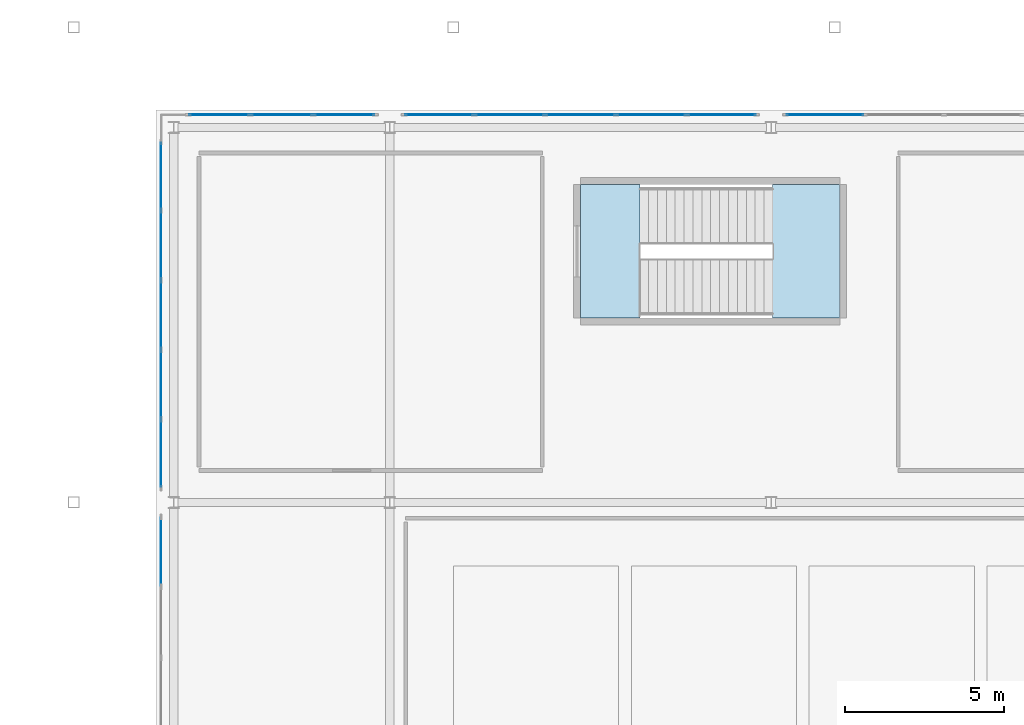
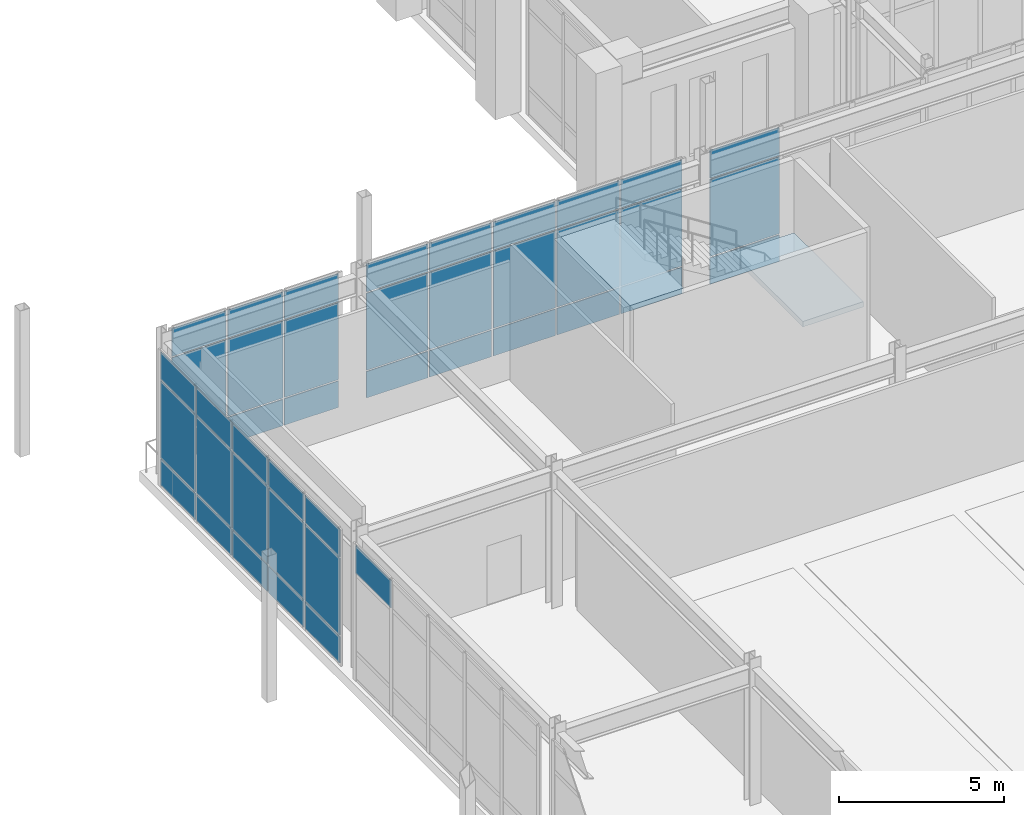
# One storey, part 115 of 159: 43 plates, 2 slabs, 6 elements without a shape of their own.
"""IFC4 building model written with IfcOpenShell, lengths in metres."""

from ifc_helpers import new_model, si_unit, derived_unit, direction, frame, origin, origin_2d, place, context, subcontext, project, spatial, polyline, rectangle, outline, extrude, material, layer, layer_set, type_object, element, aggregate, save


model = new_model("IFC4")

# Units and contexts
model_context = context("Model", 3, precision=1e-05, world=origin(), true_north=direction((0.0, 1.0)))
body_context = subcontext(model_context, "Body", "Model", "MODEL_VIEW")
ifc_project = project(units=[si_unit("LENGTHUNIT", "METRE"), si_unit("AREAUNIT", "SQUARE_METRE"), si_unit("VOLUMEUNIT", "CUBIC_METRE"), si_unit("PLANEANGLEUNIT", "RADIAN"), si_unit("MASSUNIT", "GRAM", prefix="KILO"), derived_unit("THERMALTRANSMITTANCEUNIT", [(si_unit("MASSUNIT", "GRAM", prefix="KILO"), 1), (si_unit("TIMEUNIT", "SECOND"), -3), (si_unit("THERMODYNAMICTEMPERATUREUNIT", "KELVIN"), -1)])], contexts=[model_context])

# Site, building, storey
site_placement = place(None, origin())
site = spatial("IfcSite", under=ifc_project, at=site_placement, CompositionType="ELEMENT")
building_placement = place(site_placement, origin())
building = spatial("IfcBuilding", under=site, at=building_placement, Name="Valcora Ridge Arena", CompositionType="ELEMENT")
storey_placement = place(building_placement, frame((0.0, 0.0, 6.0)))
storey = spatial("IfcBuildingStorey", under=building, at=storey_placement, Name="L01", CompositionType="ELEMENT", Elevation=6.0)

# Stair, slabs
ifc_material_1 = material(Name="Concrete C40/50", Category="concrete")
stair_type = type_object("IfcStairType", Name="TY-STAIR-ES12-54", PredefinedType="HALF_TURN_STAIR", material=ifc_material_1)
stair_placement = place(storey_placement, origin())
stair = element("IfcStair", 1, at=stair_placement, inside=storey, type_object=stair_type, Name="ES12-54 STR-ES-0038", PredefinedType="HALF_TURN_STAIR")
ifc_layer_1 = layer(ifc_material_1, 0.199951171875, Name="Concrete C40/50")
ifc_layer_set_1 = layer_set([ifc_layer_1], Name="Concrete C40/50")
slab_type = type_object("IfcSlabType", Name="TY-LAND-ES12-54", PredefinedType="LANDING", material=ifc_layer_set_1)
slab_1_placement = place(storey_placement, frame((0.0, 0.0, 2.5)))
slab_1 = element("IfcSlab", 2, at=slab_1_placement, type_object=slab_type, Name="ES12-54 landing 1", PredefinedType="LANDING", context=body_context, shape_type="SweptSolid", body=[
    extrude(outline(polyline([(156.0400390625, 71.802001953125), (158.157958984375, 71.802001953125), (158.157958984375, 75.998046875), (156.0400390625, 75.998046875), (156.0400390625, 71.802001953125)])), origin(), (0.0, 0.0, 1.0), 0.199951171875),
])
slab_2_placement = place(storey_placement, frame((0.0, 0.0, 5.199951171875)))
slab_2 = element("IfcSlab", 3, at=slab_2_placement, type_object=slab_type, Name="ES12-54 landing 2", PredefinedType="LANDING", context=body_context, shape_type="SweptSolid", body=[
    extrude(outline(polyline([(150.001953125, 71.802001953125), (151.8798828125, 71.802001953125), (151.8798828125, 75.998046875), (150.001953125, 75.998046875), (150.001953125, 71.802001953125)])), origin(), (0.0, 0.0, 1.0), 0.199951171875),
])
aggregate(stair, [slab_1, slab_2])

# Curtain wall, plates
ifc_material_2 = material(Name="Anodised dark bronze architectural aluminium 6063-T6", Category="aluminium")
ifc_layer_2 = layer(ifc_material_2, 0.179931640625, Name="Anodised dark bronze architectural aluminium 6063-T6")
ifc_layer_set_2 = layer_set([ifc_layer_2], Name="Anodised dark bronze architectural aluminium 6063-T6")
curtain_wall_type_1 = type_object("IfcCurtainWallType", Name="TY-CURTAINWALL-CW-V2-GLAZ-059X50", PredefinedType="NOTDEFINED", material=ifc_layer_set_2)
curtain_wall_1_placement = place(storey_placement, origin())
curtain_wall_1 = element("IfcCurtainWall", 4, at=curtain_wall_1_placement, inside=storey, type_object=curtain_wall_type_1, Name="CW-V2-GLAZ-059X50 CW-0057", PredefinedType="NOTDEFINED")
ifc_material_3 = material(Name="Low-iron solar-control double glazing SHGC 0.28", Category="glass")
ifc_layer_3 = layer(ifc_material_3, 0.028076171875, Name="Low-iron solar-control double glazing SHGC 0.28")
ifc_layer_set_3 = layer_set([ifc_layer_3], Name="Low-iron solar-control double glazing SHGC 0.28")
plate_type_1 = type_object("IfcPlateType", Name="TY-PLT-CWP-1892X0975", PredefinedType="CURTAIN_PANEL", material=ifc_layer_set_3)
plate_1_placement = place(storey_placement, frame((138.633056640625, 78.199951171875, 0.050048828125), z_axis=(0.0, 0.0, 1.0), x_axis=(1.0, 0.0, 0.0)))
plate_1 = element("IfcPlate", 5, at=plate_1_placement, type_object=plate_type_1, Name="CW-0057/P00-00", PredefinedType="CURTAIN_PANEL", context=body_context, shape_type="SweptSolid", body=[
    extrude(rectangle(XDim=1.89208984375, YDim=0.028076171875, at=origin_2d()), origin(), (0.0, 0.0, 1.0), 0.97509765625),
])
plate_2_placement = place(storey_placement, frame((142.56689453125, 78.199951171875, 0.050048828125), z_axis=(0.0, 0.0, 1.0), x_axis=(1.0, 0.0, 0.0)))
plate_2 = element("IfcPlate", 6, at=plate_2_placement, type_object=plate_type_1, Name="CW-0057/P02-00", PredefinedType="CURTAIN_PANEL", context=body_context, shape_type="SweptSolid", body=[
    extrude(rectangle(XDim=1.89208984375, YDim=0.028076171875, at=origin_2d()), origin(), (0.0, 0.0, 1.0), 0.97509765625),
])
ifc_layer_4 = layer(ifc_material_3, 0.028076171875, Name="Low-iron solar-control double glazing SHGC 0.28")
ifc_layer_set_4 = layer_set([ifc_layer_4], Name="Low-iron solar-control double glazing SHGC 0.28")
plate_type_2 = type_object("IfcPlateType", Name="TY-PLT-CWP-1892X1025", PredefinedType="CURTAIN_PANEL", material=ifc_layer_set_4)
plate_3_placement = place(storey_placement, frame((138.633056640625, 78.199951171875, 3.965087890625), z_axis=(0.0, 0.0, 1.0), x_axis=(1.0, 0.0, 0.0)))
plate_3 = element("IfcPlate", 7, at=plate_3_placement, type_object=plate_type_2, Name="CW-0057/P00-02", PredefinedType="CURTAIN_PANEL", context=body_context, shape_type="SweptSolid", body=[
    extrude(rectangle(XDim=1.89208984375, YDim=0.028076171875, at=origin_2d()), origin(), (0.0, 0.0, 1.0), 1.02490234375),
])
plate_4_placement = place(storey_placement, frame((142.56689453125, 78.199951171875, 3.965087890625), z_axis=(0.0, 0.0, 1.0), x_axis=(1.0, 0.0, 0.0)))
plate_4 = element("IfcPlate", 8, at=plate_4_placement, type_object=plate_type_2, Name="CW-0057/P02-02", PredefinedType="CURTAIN_PANEL", context=body_context, shape_type="SweptSolid", body=[
    extrude(rectangle(XDim=1.89208984375, YDim=0.028076171875, at=origin_2d()), origin(), (0.0, 0.0, 1.0), 1.02490234375),
])
ifc_layer_5 = layer(ifc_material_3, 0.028076171875, Name="Low-iron solar-control double glazing SHGC 0.28")
ifc_layer_set_5 = layer_set([ifc_layer_5], Name="Low-iron solar-control double glazing SHGC 0.28")
plate_type_3 = type_object("IfcPlateType", Name="TY-PLT-CWP-1892X2840", PredefinedType="CURTAIN_PANEL", material=ifc_layer_set_5)
plate_5_placement = place(storey_placement, frame((138.633056640625, 78.199951171875, 1.0751953125), z_axis=(0.0, 0.0, 1.0), x_axis=(1.0, 0.0, 0.0)))
plate_5 = element("IfcPlate", 9, at=plate_5_placement, type_object=plate_type_3, Name="CW-0057/P00-01", PredefinedType="CURTAIN_PANEL", context=body_context, shape_type="SweptSolid", body=[
    extrude(rectangle(XDim=1.89208984375, YDim=0.028076171875, at=origin_2d()), origin(), (0.0, 0.0, 1.0), 2.840087890625),
])
plate_6_placement = place(storey_placement, frame((142.56689453125, 78.199951171875, 1.0751953125), z_axis=(0.0, 0.0, 1.0), x_axis=(1.0, 0.0, 0.0)))
plate_6 = element("IfcPlate", 10, at=plate_6_placement, type_object=plate_type_3, Name="CW-0057/P02-01", PredefinedType="CURTAIN_PANEL", context=body_context, shape_type="SweptSolid", body=[
    extrude(rectangle(XDim=1.89208984375, YDim=0.028076171875, at=origin_2d()), origin(), (0.0, 0.0, 1.0), 2.840087890625),
])
ifc_layer_6 = layer(ifc_material_3, 0.028076171875, Name="Low-iron solar-control double glazing SHGC 0.28")
ifc_layer_set_6 = layer_set([ifc_layer_6], Name="Low-iron solar-control double glazing SHGC 0.28")
plate_type_4 = type_object("IfcPlateType", Name="TY-PLT-CWP-1922X0975", PredefinedType="CURTAIN_PANEL", material=ifc_layer_set_6)
plate_7_placement = place(storey_placement, frame((140.60009765625, 78.199951171875, 0.050048828125), z_axis=(0.0, 0.0, 1.0), x_axis=(1.0, 0.0, 0.0)))
plate_7 = element("IfcPlate", 11, at=plate_7_placement, type_object=plate_type_4, Name="CW-0057/P01-00", PredefinedType="CURTAIN_PANEL", context=body_context, shape_type="SweptSolid", body=[
    extrude(rectangle(XDim=1.922119140625, YDim=0.028076171875, at=origin_2d()), origin(), (0.0, 0.0, 1.0), 0.97509765625),
])
ifc_layer_7 = layer(ifc_material_3, 0.028076171875, Name="Low-iron solar-control double glazing SHGC 0.28")
ifc_layer_set_7 = layer_set([ifc_layer_7], Name="Low-iron solar-control double glazing SHGC 0.28")
plate_type_5 = type_object("IfcPlateType", Name="TY-PLT-CWP-1922X1025", PredefinedType="CURTAIN_PANEL", material=ifc_layer_set_7)
plate_8_placement = place(storey_placement, frame((140.60009765625, 78.199951171875, 3.965087890625), z_axis=(0.0, 0.0, 1.0), x_axis=(1.0, 0.0, 0.0)))
plate_8 = element("IfcPlate", 12, at=plate_8_placement, type_object=plate_type_5, Name="CW-0057/P01-02", PredefinedType="CURTAIN_PANEL", context=body_context, shape_type="SweptSolid", body=[
    extrude(rectangle(XDim=1.922119140625, YDim=0.028076171875, at=origin_2d()), origin(), (0.0, 0.0, 1.0), 1.02490234375),
])
ifc_layer_8 = layer(ifc_material_3, 0.028076171875, Name="Low-iron solar-control double glazing SHGC 0.28")
ifc_layer_set_8 = layer_set([ifc_layer_8], Name="Low-iron solar-control double glazing SHGC 0.28")
plate_type_6 = type_object("IfcPlateType", Name="TY-PLT-CWP-1922X2840", PredefinedType="CURTAIN_PANEL", material=ifc_layer_set_8)
plate_9_placement = place(storey_placement, frame((140.60009765625, 78.199951171875, 1.0751953125), z_axis=(0.0, 0.0, 1.0), x_axis=(1.0, 0.0, 0.0)))
plate_9 = element("IfcPlate", 13, at=plate_9_placement, type_object=plate_type_6, Name="CW-0057/P01-01", PredefinedType="CURTAIN_PANEL", context=body_context, shape_type="SweptSolid", body=[
    extrude(rectangle(XDim=1.922119140625, YDim=0.028076171875, at=origin_2d()), origin(), (0.0, 0.0, 1.0), 2.840087890625),
])
aggregate(curtain_wall_1, [plate_1, plate_5, plate_3, plate_7, plate_9, plate_8, plate_2, plate_6, plate_4])

ifc_layer_9 = layer(ifc_material_2, 0.179931640625, Name="Anodised dark bronze architectural aluminium 6063-T6")
ifc_layer_set_9 = layer_set([ifc_layer_9], Name="Anodised dark bronze architectural aluminium 6063-T6")
curtain_wall_type_2 = type_object("IfcCurtainWallType", Name="TY-CURTAINWALL-CW-V2-GLAZ-109X50", PredefinedType="NOTDEFINED", material=ifc_layer_set_9)
curtain_wall_2_placement = place(storey_placement, origin())
curtain_wall_2 = element("IfcCurtainWall", 14, at=curtain_wall_2_placement, inside=storey, type_object=curtain_wall_type_2, Name="CW-V2-GLAZ-109X50 CW-0043", PredefinedType="NOTDEFINED")
ifc_layer_10 = layer(ifc_material_3, 0.028076171875, Name="Low-iron solar-control double glazing SHGC 0.28")
ifc_layer_set_10 = layer_set([ifc_layer_10], Name="Low-iron solar-control double glazing SHGC 0.28")
plate_type_7 = type_object("IfcPlateType", Name="TY-PLT-CWP-2099X0975", PredefinedType="CURTAIN_PANEL", material=ifc_layer_set_10)
plate_10_placement = place(storey_placement, frame((136.800048828125, 67.535888671875, 0.050048828125), z_axis=(0.0, 0.0, 1.0), x_axis=(0.0, 1.0, 0.0)))
plate_10 = element("IfcPlate", 15, at=plate_10_placement, type_object=plate_type_7, Name="CW-0043/P00-00", PredefinedType="CURTAIN_PANEL", context=body_context, shape_type="SweptSolid", body=[
    extrude(rectangle(XDim=2.09912109375, YDim=0.028076171875, at=origin_2d()), origin(), (0.0, 0.0, 1.0), 0.97509765625),
])
plate_11_placement = place(storey_placement, frame((136.800048828125, 76.263916015625, 0.050048828125), z_axis=(0.0, 0.0, 1.0), x_axis=(0.0, 1.0, 0.0)))
plate_11 = element("IfcPlate", 16, at=plate_11_placement, type_object=plate_type_7, Name="CW-0043/P04-00", PredefinedType="CURTAIN_PANEL", context=body_context, shape_type="SweptSolid", body=[
    extrude(rectangle(XDim=2.09912109375, YDim=0.028076171875, at=origin_2d()), origin(), (0.0, 0.0, 1.0), 0.97509765625),
])
ifc_layer_11 = layer(ifc_material_3, 0.028076171875, Name="Low-iron solar-control double glazing SHGC 0.28")
ifc_layer_set_11 = layer_set([ifc_layer_11], Name="Low-iron solar-control double glazing SHGC 0.28")
plate_type_8 = type_object("IfcPlateType", Name="TY-PLT-CWP-2099X1025", PredefinedType="CURTAIN_PANEL", material=ifc_layer_set_11)
plate_12_placement = place(storey_placement, frame((136.800048828125, 67.535888671875, 3.965087890625), z_axis=(0.0, 0.0, 1.0), x_axis=(0.0, 1.0, 0.0)))
plate_12 = element("IfcPlate", 17, at=plate_12_placement, type_object=plate_type_8, Name="CW-0043/P00-02", PredefinedType="CURTAIN_PANEL", context=body_context, shape_type="SweptSolid", body=[
    extrude(rectangle(XDim=2.09912109375, YDim=0.028076171875, at=origin_2d()), origin(), (0.0, 0.0, 1.0), 1.02490234375),
])
plate_13_placement = place(storey_placement, frame((136.800048828125, 76.263916015625, 3.965087890625), z_axis=(0.0, 0.0, 1.0), x_axis=(0.0, 1.0, 0.0)))
plate_13 = element("IfcPlate", 18, at=plate_13_placement, type_object=plate_type_8, Name="CW-0043/P04-02", PredefinedType="CURTAIN_PANEL", context=body_context, shape_type="SweptSolid", body=[
    extrude(rectangle(XDim=2.09912109375, YDim=0.028076171875, at=origin_2d()), origin(), (0.0, 0.0, 1.0), 1.02490234375),
])
ifc_layer_12 = layer(ifc_material_3, 0.028076171875, Name="Low-iron solar-control double glazing SHGC 0.28")
ifc_layer_set_12 = layer_set([ifc_layer_12], Name="Low-iron solar-control double glazing SHGC 0.28")
plate_type_9 = type_object("IfcPlateType", Name="TY-PLT-CWP-2099X2840", PredefinedType="CURTAIN_PANEL", material=ifc_layer_set_12)
plate_14_placement = place(storey_placement, frame((136.800048828125, 67.535888671875, 1.0751953125), z_axis=(0.0, 0.0, 1.0), x_axis=(0.0, 1.0, 0.0)))
plate_14 = element("IfcPlate", 19, at=plate_14_placement, type_object=plate_type_9, Name="CW-0043/P00-01", PredefinedType="CURTAIN_PANEL", context=body_context, shape_type="SweptSolid", body=[
    extrude(rectangle(XDim=2.09912109375, YDim=0.028076171875, at=origin_2d()), origin(), (0.0, 0.0, 1.0), 2.840087890625),
])
plate_15_placement = place(storey_placement, frame((136.800048828125, 76.263916015625, 1.0751953125), z_axis=(0.0, 0.0, 1.0), x_axis=(0.0, 1.0, 0.0)))
plate_15 = element("IfcPlate", 20, at=plate_15_placement, type_object=plate_type_9, Name="CW-0043/P04-01", PredefinedType="CURTAIN_PANEL", context=body_context, shape_type="SweptSolid", body=[
    extrude(rectangle(XDim=2.09912109375, YDim=0.028076171875, at=origin_2d()), origin(), (0.0, 0.0, 1.0), 2.840087890625),
])
ifc_layer_13 = layer(ifc_material_3, 0.028076171875, Name="Low-iron solar-control double glazing SHGC 0.28")
ifc_layer_set_13 = layer_set([ifc_layer_13], Name="Low-iron solar-control double glazing SHGC 0.28")
plate_type_10 = type_object("IfcPlateType", Name="TY-PLT-CWP-2129X0975", PredefinedType="CURTAIN_PANEL", material=ifc_layer_set_13)
plate_16_placement = place(storey_placement, frame((136.800048828125, 71.89990234375, 0.050048828125), z_axis=(0.0, 0.0, 1.0), x_axis=(0.0, 1.0, 0.0)))
plate_16 = element("IfcPlate", 21, at=plate_16_placement, type_object=plate_type_10, Name="CW-0043/P02-00", PredefinedType="CURTAIN_PANEL", context=body_context, shape_type="SweptSolid", body=[
    extrude(rectangle(XDim=2.12890625, YDim=0.028076171875, at=origin_2d()), origin(), (0.0, 0.0, 1.0), 0.97509765625),
])
ifc_layer_14 = layer(ifc_material_3, 0.028076171875, Name="Low-iron solar-control double glazing SHGC 0.28")
ifc_layer_set_14 = layer_set([ifc_layer_14], Name="Low-iron solar-control double glazing SHGC 0.28")
plate_type_11 = type_object("IfcPlateType", Name="TY-PLT-CWP-2129X1025", PredefinedType="CURTAIN_PANEL", material=ifc_layer_set_14)
plate_17_placement = place(storey_placement, frame((136.800048828125, 71.89990234375, 3.965087890625), z_axis=(0.0, 0.0, 1.0), x_axis=(0.0, 1.0, 0.0)))
plate_17 = element("IfcPlate", 22, at=plate_17_placement, type_object=plate_type_11, Name="CW-0043/P02-02", PredefinedType="CURTAIN_PANEL", context=body_context, shape_type="SweptSolid", body=[
    extrude(rectangle(XDim=2.12890625, YDim=0.028076171875, at=origin_2d()), origin(), (0.0, 0.0, 1.0), 1.02490234375),
])
ifc_layer_15 = layer(ifc_material_3, 0.028076171875, Name="Low-iron solar-control double glazing SHGC 0.28")
ifc_layer_set_15 = layer_set([ifc_layer_15], Name="Low-iron solar-control double glazing SHGC 0.28")
plate_type_12 = type_object("IfcPlateType", Name="TY-PLT-CWP-2129X2840", PredefinedType="CURTAIN_PANEL", material=ifc_layer_set_15)
plate_18_placement = place(storey_placement, frame((136.800048828125, 71.89990234375, 1.0751953125), z_axis=(0.0, 0.0, 1.0), x_axis=(0.0, 1.0, 0.0)))
plate_18 = element("IfcPlate", 23, at=plate_18_placement, type_object=plate_type_12, Name="CW-0043/P02-01", PredefinedType="CURTAIN_PANEL", context=body_context, shape_type="SweptSolid", body=[
    extrude(rectangle(XDim=2.12890625, YDim=0.028076171875, at=origin_2d()), origin(), (0.0, 0.0, 1.0), 2.840087890625),
])
ifc_layer_16 = layer(ifc_material_3, 0.028076171875, Name="Low-iron solar-control double glazing SHGC 0.28")
ifc_layer_set_16 = layer_set([ifc_layer_16], Name="Low-iron solar-control double glazing SHGC 0.28")
plate_type_13 = type_object("IfcPlateType", Name="TY-PLT-CWP-2130X0975", PredefinedType="CURTAIN_PANEL", material=ifc_layer_set_16)
plate_19_placement = place(storey_placement, frame((136.800048828125, 69.71044921875, 0.050048828125), z_axis=(0.0, 0.0, 1.0), x_axis=(0.0, 1.0, 0.0)))
plate_19 = element("IfcPlate", 24, at=plate_19_placement, type_object=plate_type_13, Name="CW-0043/P01-00", PredefinedType="CURTAIN_PANEL", context=body_context, shape_type="SweptSolid", body=[
    extrude(rectangle(XDim=2.1298828125, YDim=0.028076171875, at=origin_2d()), origin(), (0.0, 0.0, 1.0), 0.97509765625),
])
plate_20_placement = place(storey_placement, frame((136.800048828125, 74.089599609375, 0.050048828125), z_axis=(0.0, 0.0, 1.0), x_axis=(0.0, 1.0, 0.0)))
plate_20 = element("IfcPlate", 25, at=plate_20_placement, type_object=plate_type_13, Name="CW-0043/P03-00", PredefinedType="CURTAIN_PANEL", context=body_context, shape_type="SweptSolid", body=[
    extrude(rectangle(XDim=2.1298828125, YDim=0.028076171875, at=origin_2d()), origin(), (0.0, 0.0, 1.0), 0.97509765625),
])
ifc_layer_17 = layer(ifc_material_3, 0.028076171875, Name="Low-iron solar-control double glazing SHGC 0.28")
ifc_layer_set_17 = layer_set([ifc_layer_17], Name="Low-iron solar-control double glazing SHGC 0.28")
plate_type_14 = type_object("IfcPlateType", Name="TY-PLT-CWP-2130X1025", PredefinedType="CURTAIN_PANEL", material=ifc_layer_set_17)
plate_21_placement = place(storey_placement, frame((136.800048828125, 69.71044921875, 3.965087890625), z_axis=(0.0, 0.0, 1.0), x_axis=(0.0, 1.0, 0.0)))
plate_21 = element("IfcPlate", 26, at=plate_21_placement, type_object=plate_type_14, Name="CW-0043/P01-02", PredefinedType="CURTAIN_PANEL", context=body_context, shape_type="SweptSolid", body=[
    extrude(rectangle(XDim=2.1298828125, YDim=0.028076171875, at=origin_2d()), origin(), (0.0, 0.0, 1.0), 1.02490234375),
])
plate_22_placement = place(storey_placement, frame((136.800048828125, 74.089599609375, 3.965087890625), z_axis=(0.0, 0.0, 1.0), x_axis=(0.0, 1.0, 0.0)))
plate_22 = element("IfcPlate", 27, at=plate_22_placement, type_object=plate_type_14, Name="CW-0043/P03-02", PredefinedType="CURTAIN_PANEL", context=body_context, shape_type="SweptSolid", body=[
    extrude(rectangle(XDim=2.1298828125, YDim=0.028076171875, at=origin_2d()), origin(), (0.0, 0.0, 1.0), 1.02490234375),
])
ifc_layer_18 = layer(ifc_material_3, 0.028076171875, Name="Low-iron solar-control double glazing SHGC 0.28")
ifc_layer_set_18 = layer_set([ifc_layer_18], Name="Low-iron solar-control double glazing SHGC 0.28")
plate_type_15 = type_object("IfcPlateType", Name="TY-PLT-CWP-2130X2840", PredefinedType="CURTAIN_PANEL", material=ifc_layer_set_18)
plate_23_placement = place(storey_placement, frame((136.800048828125, 69.71044921875, 1.0751953125), z_axis=(0.0, 0.0, 1.0), x_axis=(0.0, 1.0, 0.0)))
plate_23 = element("IfcPlate", 28, at=plate_23_placement, type_object=plate_type_15, Name="CW-0043/P01-01", PredefinedType="CURTAIN_PANEL", context=body_context, shape_type="SweptSolid", body=[
    extrude(rectangle(XDim=2.1298828125, YDim=0.028076171875, at=origin_2d()), origin(), (0.0, 0.0, 1.0), 2.840087890625),
])
plate_24_placement = place(storey_placement, frame((136.800048828125, 74.089599609375, 1.0751953125), z_axis=(0.0, 0.0, 1.0), x_axis=(0.0, 1.0, 0.0)))
plate_24 = element("IfcPlate", 29, at=plate_24_placement, type_object=plate_type_15, Name="CW-0043/P03-01", PredefinedType="CURTAIN_PANEL", context=body_context, shape_type="SweptSolid", body=[
    extrude(rectangle(XDim=2.1298828125, YDim=0.028076171875, at=origin_2d()), origin(), (0.0, 0.0, 1.0), 2.840087890625),
])
aggregate(curtain_wall_2, [plate_10, plate_14, plate_12, plate_19, plate_23, plate_21, plate_16, plate_18, plate_17, plate_20, plate_24, plate_22, plate_11, plate_15, plate_13])

ifc_layer_19 = layer(ifc_material_2, 0.179931640625, Name="Anodised dark bronze architectural aluminium 6063-T6")
ifc_layer_set_19 = layer_set([ifc_layer_19], Name="Anodised dark bronze architectural aluminium 6063-T6")
curtain_wall_type_3 = type_object("IfcCurtainWallType", Name="TY-CURTAINWALL-CW-V2-GLAZ-111X50", PredefinedType="NOTDEFINED", material=ifc_layer_set_19)
curtain_wall_3_placement = place(storey_placement, origin())
curtain_wall_3 = element("IfcCurtainWall", 30, at=curtain_wall_3_placement, inside=storey, type_object=curtain_wall_type_3, Name="CW-V2-GLAZ-111X50 CW-0058", PredefinedType="NOTDEFINED")
ifc_layer_20 = layer(ifc_material_3, 0.028076171875, Name="Low-iron solar-control double glazing SHGC 0.28")
ifc_layer_set_20 = layer_set([ifc_layer_20], Name="Low-iron solar-control double glazing SHGC 0.28")
plate_type_16 = type_object("IfcPlateType", Name="TY-PLT-CWP-2139X0975", PredefinedType="CURTAIN_PANEL", material=ifc_layer_set_20)
plate_25_placement = place(storey_placement, frame((145.556396484375, 78.199951171875, 0.050048828125), z_axis=(0.0, 0.0, 1.0), x_axis=(1.0, 0.0, 0.0)))
plate_25 = element("IfcPlate", 31, at=plate_25_placement, type_object=plate_type_16, Name="CW-0058/P00-00", PredefinedType="CURTAIN_PANEL", context=body_context, shape_type="SweptSolid", body=[
    extrude(rectangle(XDim=2.138916015625, YDim=0.028076171875, at=origin_2d()), origin(), (0.0, 0.0, 1.0), 0.97509765625),
])
plate_26_placement = place(storey_placement, frame((154.443603515625, 78.199951171875, 0.050048828125), z_axis=(0.0, 0.0, 1.0), x_axis=(1.0, 0.0, 0.0)))
plate_26 = element("IfcPlate", 32, at=plate_26_placement, type_object=plate_type_16, Name="CW-0058/P04-00", PredefinedType="CURTAIN_PANEL", context=body_context, shape_type="SweptSolid", body=[
    extrude(rectangle(XDim=2.138916015625, YDim=0.028076171875, at=origin_2d()), origin(), (0.0, 0.0, 1.0), 0.97509765625),
])

# Curtain wall, plate
curtain_wall_4_placement = place(storey_placement, origin())
curtain_wall_4 = element("IfcCurtainWall", 33, at=curtain_wall_4_placement, inside=storey, type_object=curtain_wall_type_3, Name="CW-V2-GLAZ-111X50 CW-0042", PredefinedType="NOTDEFINED")
ifc_layer_21 = layer(ifc_material_3, 0.028076171875, Name="Low-iron solar-control double glazing SHGC 0.28")
ifc_layer_set_21 = layer_set([ifc_layer_21], Name="Low-iron solar-control double glazing SHGC 0.28")
plate_type_17 = type_object("IfcPlateType", Name="TY-PLT-CWP-2139X1025", PredefinedType="CURTAIN_PANEL", material=ifc_layer_set_21)
plate_27_placement = place(storey_placement, frame((136.800048828125, 64.444091796875, 3.965087890625), z_axis=(0.0, 0.0, 1.0), x_axis=(0.0, 1.0, 0.0)))
plate_27 = element("IfcPlate", 34, at=plate_27_placement, type_object=plate_type_17, Name="CW-0042/P04-02", PredefinedType="CURTAIN_PANEL", context=body_context, shape_type="SweptSolid", body=[
    extrude(rectangle(XDim=2.138916015625, YDim=0.028076171875, at=origin_2d()), origin(), (0.0, 0.0, 1.0), 1.02490234375),
])
aggregate(curtain_wall_4, [plate_27])

# Plate
plate_28_placement = place(storey_placement, frame((145.556396484375, 78.199951171875, 3.965087890625), z_axis=(0.0, 0.0, 1.0), x_axis=(1.0, 0.0, 0.0)))
plate_28 = element("IfcPlate", 35, at=plate_28_placement, type_object=plate_type_17, Name="CW-0058/P00-02", PredefinedType="CURTAIN_PANEL", context=body_context, shape_type="SweptSolid", body=[
    extrude(rectangle(XDim=2.138916015625, YDim=0.028076171875, at=origin_2d()), origin(), (0.0, 0.0, 1.0), 1.02490234375),
])

plate_29_placement = place(storey_placement, frame((154.443603515625, 78.199951171875, 3.965087890625), z_axis=(0.0, 0.0, 1.0), x_axis=(1.0, 0.0, 0.0)))
plate_29 = element("IfcPlate", 36, at=plate_29_placement, type_object=plate_type_17, Name="CW-0058/P04-02", PredefinedType="CURTAIN_PANEL", context=body_context, shape_type="SweptSolid", body=[
    extrude(rectangle(XDim=2.138916015625, YDim=0.028076171875, at=origin_2d()), origin(), (0.0, 0.0, 1.0), 1.02490234375),
])

ifc_layer_22 = layer(ifc_material_3, 0.028076171875, Name="Low-iron solar-control double glazing SHGC 0.28")
ifc_layer_set_22 = layer_set([ifc_layer_22], Name="Low-iron solar-control double glazing SHGC 0.28")
plate_type_18 = type_object("IfcPlateType", Name="TY-PLT-CWP-2139X2840", PredefinedType="CURTAIN_PANEL", material=ifc_layer_set_22)
plate_30_placement = place(storey_placement, frame((145.556396484375, 78.199951171875, 1.0751953125), z_axis=(0.0, 0.0, 1.0), x_axis=(1.0, 0.0, 0.0)))
plate_30 = element("IfcPlate", 37, at=plate_30_placement, type_object=plate_type_18, Name="CW-0058/P00-01", PredefinedType="CURTAIN_PANEL", context=body_context, shape_type="SweptSolid", body=[
    extrude(rectangle(XDim=2.138916015625, YDim=0.028076171875, at=origin_2d()), origin(), (0.0, 0.0, 1.0), 2.840087890625),
])

plate_31_placement = place(storey_placement, frame((154.443603515625, 78.199951171875, 1.0751953125), z_axis=(0.0, 0.0, 1.0), x_axis=(1.0, 0.0, 0.0)))
plate_31 = element("IfcPlate", 38, at=plate_31_placement, type_object=plate_type_18, Name="CW-0058/P04-01", PredefinedType="CURTAIN_PANEL", context=body_context, shape_type="SweptSolid", body=[
    extrude(rectangle(XDim=2.138916015625, YDim=0.028076171875, at=origin_2d()), origin(), (0.0, 0.0, 1.0), 2.840087890625),
])

ifc_layer_23 = layer(ifc_material_3, 0.028076171875, Name="Low-iron solar-control double glazing SHGC 0.28")
ifc_layer_set_23 = layer_set([ifc_layer_23], Name="Low-iron solar-control double glazing SHGC 0.28")
plate_type_19 = type_object("IfcPlateType", Name="TY-PLT-CWP-2169X0975", PredefinedType="CURTAIN_PANEL", material=ifc_layer_set_23)
plate_32_placement = place(storey_placement, frame((147.7705078125, 78.199951171875, 0.050048828125), z_axis=(0.0, 0.0, 1.0), x_axis=(1.0, 0.0, 0.0)))
plate_32 = element("IfcPlate", 39, at=plate_32_placement, type_object=plate_type_19, Name="CW-0058/P01-00", PredefinedType="CURTAIN_PANEL", context=body_context, shape_type="SweptSolid", body=[
    extrude(rectangle(XDim=2.1689453125, YDim=0.028076171875, at=origin_2d()), origin(), (0.0, 0.0, 1.0), 0.97509765625),
])

plate_33_placement = place(storey_placement, frame((152.2294921875, 78.199951171875, 0.050048828125), z_axis=(0.0, 0.0, 1.0), x_axis=(1.0, 0.0, 0.0)))
plate_33 = element("IfcPlate", 40, at=plate_33_placement, type_object=plate_type_19, Name="CW-0058/P03-00", PredefinedType="CURTAIN_PANEL", context=body_context, shape_type="SweptSolid", body=[
    extrude(rectangle(XDim=2.1689453125, YDim=0.028076171875, at=origin_2d()), origin(), (0.0, 0.0, 1.0), 0.97509765625),
])

ifc_layer_24 = layer(ifc_material_3, 0.028076171875, Name="Low-iron solar-control double glazing SHGC 0.28")
ifc_layer_set_24 = layer_set([ifc_layer_24], Name="Low-iron solar-control double glazing SHGC 0.28")
plate_type_20 = type_object("IfcPlateType", Name="TY-PLT-CWP-2169X1025", PredefinedType="CURTAIN_PANEL", material=ifc_layer_set_24)
plate_34_placement = place(storey_placement, frame((147.7705078125, 78.199951171875, 3.965087890625), z_axis=(0.0, 0.0, 1.0), x_axis=(1.0, 0.0, 0.0)))
plate_34 = element("IfcPlate", 41, at=plate_34_placement, type_object=plate_type_20, Name="CW-0058/P01-02", PredefinedType="CURTAIN_PANEL", context=body_context, shape_type="SweptSolid", body=[
    extrude(rectangle(XDim=2.1689453125, YDim=0.028076171875, at=origin_2d()), origin(), (0.0, 0.0, 1.0), 1.02490234375),
])

plate_35_placement = place(storey_placement, frame((152.2294921875, 78.199951171875, 3.965087890625), z_axis=(0.0, 0.0, 1.0), x_axis=(1.0, 0.0, 0.0)))
plate_35 = element("IfcPlate", 42, at=plate_35_placement, type_object=plate_type_20, Name="CW-0058/P03-02", PredefinedType="CURTAIN_PANEL", context=body_context, shape_type="SweptSolid", body=[
    extrude(rectangle(XDim=2.1689453125, YDim=0.028076171875, at=origin_2d()), origin(), (0.0, 0.0, 1.0), 1.02490234375),
])

ifc_layer_25 = layer(ifc_material_3, 0.028076171875, Name="Low-iron solar-control double glazing SHGC 0.28")
ifc_layer_set_25 = layer_set([ifc_layer_25], Name="Low-iron solar-control double glazing SHGC 0.28")
plate_type_21 = type_object("IfcPlateType", Name="TY-PLT-CWP-2169X2840", PredefinedType="CURTAIN_PANEL", material=ifc_layer_set_25)
plate_36_placement = place(storey_placement, frame((147.7705078125, 78.199951171875, 1.0751953125), z_axis=(0.0, 0.0, 1.0), x_axis=(1.0, 0.0, 0.0)))
plate_36 = element("IfcPlate", 43, at=plate_36_placement, type_object=plate_type_21, Name="CW-0058/P01-01", PredefinedType="CURTAIN_PANEL", context=body_context, shape_type="SweptSolid", body=[
    extrude(rectangle(XDim=2.1689453125, YDim=0.028076171875, at=origin_2d()), origin(), (0.0, 0.0, 1.0), 2.840087890625),
])

plate_37_placement = place(storey_placement, frame((152.2294921875, 78.199951171875, 1.0751953125), z_axis=(0.0, 0.0, 1.0), x_axis=(1.0, 0.0, 0.0)))
plate_37 = element("IfcPlate", 44, at=plate_37_placement, type_object=plate_type_21, Name="CW-0058/P03-01", PredefinedType="CURTAIN_PANEL", context=body_context, shape_type="SweptSolid", body=[
    extrude(rectangle(XDim=2.1689453125, YDim=0.028076171875, at=origin_2d()), origin(), (0.0, 0.0, 1.0), 2.840087890625),
])

ifc_layer_26 = layer(ifc_material_3, 0.028076171875, Name="Low-iron solar-control double glazing SHGC 0.28")
ifc_layer_set_26 = layer_set([ifc_layer_26], Name="Low-iron solar-control double glazing SHGC 0.28")
plate_type_22 = type_object("IfcPlateType", Name="TY-PLT-CWP-2170X0975", PredefinedType="CURTAIN_PANEL", material=ifc_layer_set_26)
plate_38_placement = place(storey_placement, frame((150.0, 78.199951171875, 0.050048828125), z_axis=(0.0, 0.0, 1.0), x_axis=(1.0, 0.0, 0.0)))
plate_38 = element("IfcPlate", 45, at=plate_38_placement, type_object=plate_type_22, Name="CW-0058/P02-00", PredefinedType="CURTAIN_PANEL", context=body_context, shape_type="SweptSolid", body=[
    extrude(rectangle(XDim=2.169921875, YDim=0.028076171875, at=origin_2d()), origin(), (0.0, 0.0, 1.0), 0.97509765625),
])

ifc_layer_27 = layer(ifc_material_3, 0.028076171875, Name="Low-iron solar-control double glazing SHGC 0.28")
ifc_layer_set_27 = layer_set([ifc_layer_27], Name="Low-iron solar-control double glazing SHGC 0.28")
plate_type_23 = type_object("IfcPlateType", Name="TY-PLT-CWP-2170X1025", PredefinedType="CURTAIN_PANEL", material=ifc_layer_set_27)
plate_39_placement = place(storey_placement, frame((150.0, 78.199951171875, 3.965087890625), z_axis=(0.0, 0.0, 1.0), x_axis=(1.0, 0.0, 0.0)))
plate_39 = element("IfcPlate", 46, at=plate_39_placement, type_object=plate_type_23, Name="CW-0058/P02-02", PredefinedType="CURTAIN_PANEL", context=body_context, shape_type="SweptSolid", body=[
    extrude(rectangle(XDim=2.169921875, YDim=0.028076171875, at=origin_2d()), origin(), (0.0, 0.0, 1.0), 1.02490234375),
])

ifc_layer_28 = layer(ifc_material_3, 0.028076171875, Name="Low-iron solar-control double glazing SHGC 0.28")
ifc_layer_set_28 = layer_set([ifc_layer_28], Name="Low-iron solar-control double glazing SHGC 0.28")
plate_type_24 = type_object("IfcPlateType", Name="TY-PLT-CWP-2170X2840", PredefinedType="CURTAIN_PANEL", material=ifc_layer_set_28)
plate_40_placement = place(storey_placement, frame((150.0, 78.199951171875, 1.0751953125), z_axis=(0.0, 0.0, 1.0), x_axis=(1.0, 0.0, 0.0)))
plate_40 = element("IfcPlate", 47, at=plate_40_placement, type_object=plate_type_24, Name="CW-0058/P02-01", PredefinedType="CURTAIN_PANEL", context=body_context, shape_type="SweptSolid", body=[
    extrude(rectangle(XDim=2.169921875, YDim=0.028076171875, at=origin_2d()), origin(), (0.0, 0.0, 1.0), 2.840087890625),
])

aggregate(curtain_wall_3, [plate_25, plate_30, plate_28, plate_32, plate_36, plate_34, plate_38, plate_40, plate_39, plate_33, plate_37, plate_35, plate_26, plate_31, plate_29])

# Curtain wall, plates
ifc_layer_29 = layer(ifc_material_2, 0.179931640625, Name="Anodised dark bronze architectural aluminium 6063-T6")
ifc_layer_set_29 = layer_set([ifc_layer_29], Name="Anodised dark bronze architectural aluminium 6063-T6")
curtain_wall_type_4 = type_object("IfcCurtainWallType", Name="TY-CURTAINWALL-CW-V2-GLAZ-075X50", PredefinedType="NOTDEFINED", material=ifc_layer_set_29)
curtain_wall_5_placement = place(storey_placement, origin())
curtain_wall_5 = element("IfcCurtainWall", 48, at=curtain_wall_5_placement, inside=storey, type_object=curtain_wall_type_4, Name="CW-V2-GLAZ-075X50 CW-0059", PredefinedType="NOTDEFINED")
ifc_layer_30 = layer(ifc_material_3, 0.028076171875, Name="Low-iron solar-control double glazing SHGC 0.28")
ifc_layer_set_30 = layer_set([ifc_layer_30], Name="Low-iron solar-control double glazing SHGC 0.28")
plate_type_25 = type_object("IfcPlateType", Name="TY-PLT-CWP-2418X0975", PredefinedType="CURTAIN_PANEL", material=ifc_layer_set_30)
plate_41_placement = place(storey_placement, frame((157.696044921875, 78.199951171875, 0.050048828125), z_axis=(0.0, 0.0, 1.0), x_axis=(1.0, 0.0, 0.0)))
plate_41 = element("IfcPlate", 49, at=plate_41_placement, type_object=plate_type_25, Name="CW-0059/P00-00", PredefinedType="CURTAIN_PANEL", context=body_context, shape_type="SweptSolid", body=[
    extrude(rectangle(XDim=2.41796875, YDim=0.028076171875, at=origin_2d()), origin(), (0.0, 0.0, 1.0), 0.97509765625),
])
ifc_layer_31 = layer(ifc_material_3, 0.028076171875, Name="Low-iron solar-control double glazing SHGC 0.28")
ifc_layer_set_31 = layer_set([ifc_layer_31], Name="Low-iron solar-control double glazing SHGC 0.28")
plate_type_26 = type_object("IfcPlateType", Name="TY-PLT-CWP-2418X1025", PredefinedType="CURTAIN_PANEL", material=ifc_layer_set_31)
plate_42_placement = place(storey_placement, frame((157.696044921875, 78.199951171875, 3.965087890625), z_axis=(0.0, 0.0, 1.0), x_axis=(1.0, 0.0, 0.0)))
plate_42 = element("IfcPlate", 50, at=plate_42_placement, type_object=plate_type_26, Name="CW-0059/P00-02", PredefinedType="CURTAIN_PANEL", context=body_context, shape_type="SweptSolid", body=[
    extrude(rectangle(XDim=2.41796875, YDim=0.028076171875, at=origin_2d()), origin(), (0.0, 0.0, 1.0), 1.02490234375),
])
ifc_layer_32 = layer(ifc_material_3, 0.028076171875, Name="Low-iron solar-control double glazing SHGC 0.28")
ifc_layer_set_32 = layer_set([ifc_layer_32], Name="Low-iron solar-control double glazing SHGC 0.28")
plate_type_27 = type_object("IfcPlateType", Name="TY-PLT-CWP-2418X2840", PredefinedType="CURTAIN_PANEL", material=ifc_layer_set_32)
plate_43_placement = place(storey_placement, frame((157.696044921875, 78.199951171875, 1.0751953125), z_axis=(0.0, 0.0, 1.0), x_axis=(1.0, 0.0, 0.0)))
plate_43 = element("IfcPlate", 51, at=plate_43_placement, type_object=plate_type_27, Name="CW-0059/P00-01", PredefinedType="CURTAIN_PANEL", context=body_context, shape_type="SweptSolid", body=[
    extrude(rectangle(XDim=2.41796875, YDim=0.028076171875, at=origin_2d()), origin(), (0.0, 0.0, 1.0), 2.840087890625),
])
aggregate(curtain_wall_5, [plate_41, plate_43, plate_42])

save(model, "model.ifc")
